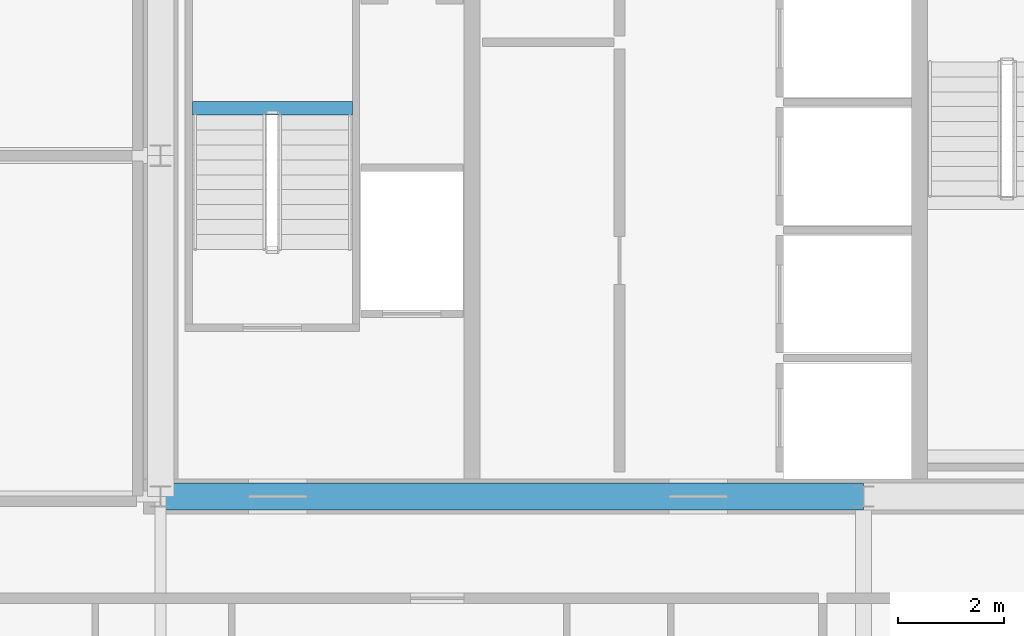
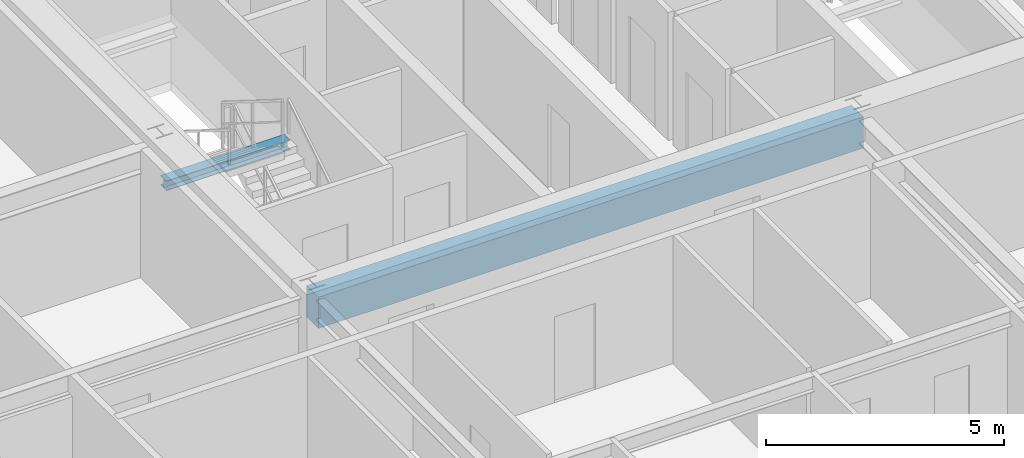
# One storey, part 13 of 38: 2 beams.
"""IFC4 building model written with IfcOpenShell, lengths in metres."""

from ifc_helpers import new_model, si_unit, direction, frame, origin, origin_2d, place, context, subcontext, project, spatial, rectangle, i_section, extrude, source, transform, mapped, material, material_profile, profile_set, type_object, element, save


model = new_model("IFC4")

# Units and contexts
model_context = context("Model", 3, precision=1e-05, world=origin(), true_north=direction((0.0, 1.0)))
body_context = subcontext(model_context, "Body", "Model", "MODEL_VIEW")
ifc_project = project(units=[si_unit("LENGTHUNIT", "METRE"), si_unit("AREAUNIT", "SQUARE_METRE"), si_unit("VOLUMEUNIT", "CUBIC_METRE"), si_unit("PLANEANGLEUNIT", "RADIAN"), si_unit("MASSUNIT", "GRAM", prefix="KILO"), si_unit("THERMODYNAMICTEMPERATUREUNIT", "KELVIN"), si_unit("POWERUNIT", "WATT")], contexts=[model_context])

# Site, building, storey
site_placement = place(None, origin())
site = spatial("IfcSite", under=ifc_project, at=site_placement, CompositionType="ELEMENT")
building_placement = place(site_placement, origin())
building = spatial("IfcBuilding", under=site, at=building_placement, Name="Yuzanri Waterfront Tower", CompositionType="ELEMENT")
storey_placement = place(building_placement, frame((0.0, 0.0, 195.0)))
storey = spatial("IfcBuildingStorey", under=building, at=storey_placement, Name="L51", CompositionType="ELEMENT", Elevation=195.0)

# Beams
ifc_material_1 = material(Name="Concrete C50", Category="concrete")
ifc_material_profile_1 = material_profile(ifc_material_1, rectangle(XDim=0.5, YDim=0.800048828125, at=origin_2d()), Name="RC 500x800")
ifc_profile_set_1 = profile_set([ifc_material_profile_1], Name="Concrete C50")
beam_type_1 = type_object("IfcBeamType", Name="Core Coupling Lintel Concrete C50 500x800", PredefinedType="LINTEL", material=ifc_profile_set_1)
shared_shape_1 = source(origin(), body_context, "Body", "SweptSolid", [
    extrude(rectangle(XDim=0.5, YDim=0.800048828125, at=origin_2d()), origin(), (0.0, 0.0, 1.0), 13.199951171875),
])
beam_1_placement = place(storey_placement, frame((23.800048828125, 19.39990234375, 2.8798828125), z_axis=(1.0, 0.0, 0.0), x_axis=(0.0, 1.0, 0.0)))
element("IfcBeam", 1, at=beam_1_placement, inside=storey, type_object=beam_type_1, Name="L51 Core Tie Beam CS1", PredefinedType="LINTEL", context=body_context, shape_type="MappedRepresentation", body=[
    mapped(shared_shape_1, transform((0.0, 0.0, 0.0), scale=1.0)),
])
ifc_material_2 = material(Name="Steel Q355B", Category="steel")
ifc_material_profile_2 = material_profile(ifc_material_2, i_section(OverallWidth=0.25, OverallDepth=0.25, WebThickness=0.009033203125, FlangeThickness=0.013916015625, at=origin_2d()), Name="HW 250x250x9x14")
ifc_profile_set_2 = profile_set([ifc_material_profile_2], Name="Steel Q355B")
beam_type_2 = type_object("IfcBeamType", Name="Stair Landing Support Beam Q355B HW 250x250", PredefinedType="BEAM", material=ifc_profile_set_2)
shared_shape_2 = source(origin(), body_context, "Body", "SweptSolid", [
    extrude(i_section(OverallWidth=0.25, OverallDepth=0.25, WebThickness=0.009033203125, FlangeThickness=0.013916015625, at=origin_2d()), origin(), (0.0, 0.0, 1.0), 3.0),
])
beam_2_placement = place(storey_placement, frame((24.39990234375, 26.68994140625, 1.425048828125), z_axis=(1.0, 0.0, 0.0), x_axis=(0.0, 1.0, 0.0)))
element("IfcBeam", 2, at=beam_2_placement, inside=storey, type_object=beam_type_2, Name="L51 Stair Landing Support Beam ST-01-L51-L1-1", PredefinedType="BEAM", context=body_context, shape_type="MappedRepresentation", body=[
    mapped(shared_shape_2, transform((0.0, 0.0, 0.0), scale=1.0)),
])

save(model, "model.ifc")
